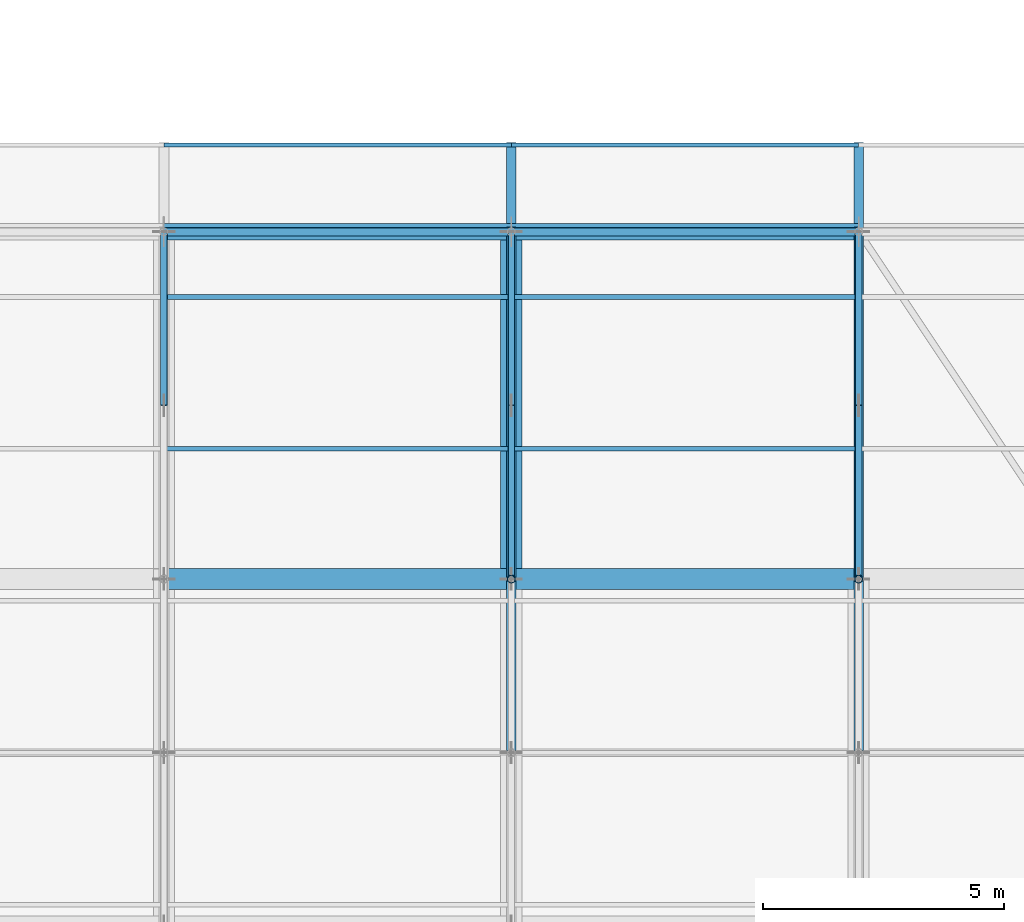
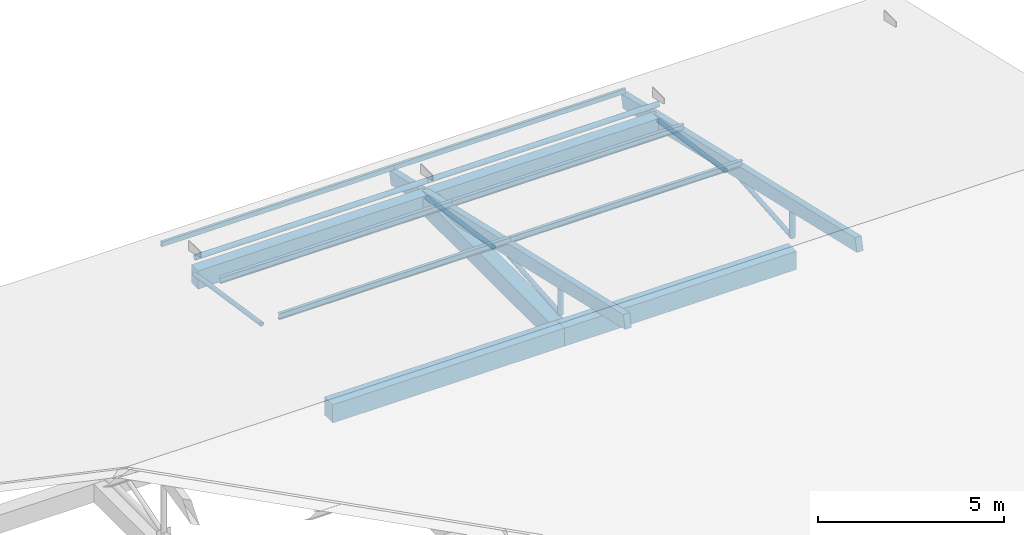
# One storey, part 57 of 93: 17 members, 5 beams.
"""IFC4 building model written with IfcOpenShell, lengths in metres."""

from ifc_helpers import new_model, si_unit, direction, frame, origin, origin_2d, place, context, subcontext, project, spatial, rectangle, hollow_rectangle, hollow_circle, i_section, extrude, material, material_profile, profile_set, type_object, element, save


model = new_model("IFC4")

# Units and contexts
model_context = context("Model", 3, precision=1e-05, world=origin(), true_north=direction((0.0, 1.0)))
body_context = subcontext(model_context, "Body", "Model", "MODEL_VIEW")
ifc_project = project(units=[si_unit("LENGTHUNIT", "METRE"), si_unit("AREAUNIT", "SQUARE_METRE"), si_unit("VOLUMEUNIT", "CUBIC_METRE"), si_unit("PLANEANGLEUNIT", "RADIAN"), si_unit("MASSUNIT", "GRAM", prefix="KILO")], contexts=[model_context])

# Site, building, storey
site_placement = place(None, origin())
site = spatial("IfcSite", under=ifc_project, at=site_placement, CompositionType="ELEMENT")
building_placement = place(site_placement, origin())
building = spatial("IfcBuilding", under=site, at=building_placement, Name="Zornivar Specialist Clinic", CompositionType="ELEMENT")
storey_placement = place(building_placement, frame((0.0, 0.0, 8.39990234375)))
storey = spatial("IfcBuildingStorey", under=building, at=storey_placement, Name="L02", CompositionType="ELEMENT", Elevation=8.39990234375)

# Beams
ifc_material_1 = material(Name="Concrete C30/37", Category="concrete")
ifc_material_profile_1 = material_profile(ifc_material_1, rectangle(XDim=0.43994140625, YDim=0.60009765625, at=origin_2d()), Name="RC 440x600")
ifc_profile_set_1 = profile_set([ifc_material_profile_1], Name="Concrete C30/37")
beam_type_1 = type_object("IfcBeamType", Name="BM-RC-440x600", PredefinedType="BEAM", material=ifc_profile_set_1)
for number, where, z_axis, x_axis, name in (
    (1, (144.0, 14.39990234375, -0.2998046875), (1.0, 0.0, 0.0), (0.0, 1.0, 0.0), "bm:V4:L02:x:144:3"),
    (2, (151.199951171875, 14.39990234375, -0.2998046875), (1.0, 0.0, 0.0), (0.0, 1.0, 0.0), "bm:V4:L02:x:144:4"),
):
    element("IfcBeam", number, at=place(storey_placement, frame(where, z_axis=z_axis, x_axis=x_axis)), inside=storey, type_object=beam_type_1, Name=name, PredefinedType="BEAM", context=body_context, shape_type="SweptSolid", body=[
        extrude(rectangle(XDim=0.43994140625, YDim=0.60009765625, at=origin_2d()), origin(), (0.0, 0.0, 1.0), 7.199951171875),
    ])
beam_placement = place(storey_placement, frame((151.199951171875, 14.39990234375, -0.2998046875), z_axis=(0.0, 1.0, 0.0), x_axis=(-1.0, 0.0, 0.0)))
element("IfcBeam", 3, at=beam_placement, inside=storey, type_object=beam_type_1, Name="bm:V4:L02:y:1512:2", PredefinedType="BEAM", context=body_context, shape_type="SweptSolid", body=[
    extrude(rectangle(XDim=0.43994140625, YDim=0.60009765625, at=origin_2d()), origin(), (0.0, 0.0, 1.0), 7.2001953125),
])
ifc_material_2 = material(Name="Concrete C30/37", Category="concrete")
ifc_material_profile_2 = material_profile(ifc_material_2, rectangle(XDim=0.35009765625, YDim=0.60009765625, at=origin_2d()), Name="RC 350x600")
ifc_profile_set_2 = profile_set([ifc_material_profile_2], Name="Concrete C30/37")
beam_type_2 = type_object("IfcBeamType", Name="BM-RC-SPANDREL-350x600", PredefinedType="SPANDREL", material=ifc_profile_set_2)
for number, where, z_axis, x_axis, name in (
    (4, (144.0, 21.60009765625, -0.2998046875), (1.0, 0.0, 0.0), (0.0, 1.0, 0.0), "bm:V4:L02:x:216:3"),
    (5, (151.199951171875, 21.60009765625, -0.2998046875), (1.0, 0.0, 0.0), (0.0, 1.0, 0.0), "bm:V4:L02:x:216:4"),
):
    element("IfcBeam", number, at=place(storey_placement, frame(where, z_axis=z_axis, x_axis=x_axis)), inside=storey, type_object=beam_type_2, Name=name, PredefinedType="SPANDREL", context=body_context, shape_type="SweptSolid", body=[
        extrude(rectangle(XDim=0.35009765625, YDim=0.60009765625, at=origin_2d()), origin(), (0.0, 0.0, 1.0), 7.199951171875),
    ])

# Members
ifc_material_3 = material(Name="Steel S355J2", Category="steel")
ifc_material_profile_3 = material_profile(ifc_material_3, hollow_circle(Radius=0.06982421875, WallThickness=0.008056640625, at=origin_2d()), Name="CHS 139.7x8")
ifc_profile_set_3 = profile_set([ifc_material_profile_3], Name="Steel S355J2")
member_type_1 = type_object("IfcMemberType", Name="MEM-DIAG-CHS140", PredefinedType="BRACE", material=ifc_profile_set_3)
for number, where, z_axis, x_axis, name in (
    (6, (151.199951171875, 14.39990234375, 0.340087890625), (0.0, 0.996883055642, 0.078893430485), (-1.0, 0.0, 0.0), "mem:V4:L02:diag:4:N:1"),
    (7, (158.39990234375, 14.39990234375, 0.340087890625), (0.0, 0.996883055642, 0.078893430485), (-1.0, 0.0, 0.0), "mem:V4:L02:diag:5:N:1"),
):
    element("IfcMember", number, at=place(storey_placement, frame(where, z_axis=z_axis, x_axis=x_axis)), inside=storey, type_object=member_type_1, Name=name, PredefinedType="BRACE", context=body_context, shape_type="SweptSolid", body=[
        extrude(hollow_circle(Radius=0.06982421875, WallThickness=0.008056640625, at=origin_2d()), origin(), (0.0, 0.0, 1.0), 3.611328125),
    ])
ifc_material_4 = material(Name="Steel S355J2", Category="steel")
ifc_material_profile_4 = material_profile(ifc_material_4, hollow_circle(Radius=0.06982421875, WallThickness=0.010009765625, at=origin_2d()), Name="CHS 139.7x10")
ifc_profile_set_4 = profile_set([ifc_material_profile_4], Name="Steel S355J2")
member_type_2 = type_object("IfcMemberType", Name="MEM-DIAG-CHS140H", PredefinedType="BRACE", material=ifc_profile_set_4)
for number, where, z_axis, x_axis, name in (
    (8, (144.0, 18.0, 0.340087890625), (0.0, 0.988817004891, -0.149133935906), (-1.0, 0.0, 0.0), "mem:V4:L02:diag:3:N:2"),
    (9, (151.199951171875, 18.0, 0.340087890625), (0.0, 0.988817004891, -0.149133935906), (-1.0, 0.0, 0.0), "mem:V4:L02:diag:4:N:2"),
    (10, (158.39990234375, 18.0, 0.340087890625), (0.0, 0.988817004891, -0.149133935906), (-1.0, 0.0, 0.0), "mem:V4:L02:diag:5:N:2"),
):
    element("IfcMember", number, at=place(storey_placement, frame(where, z_axis=z_axis, x_axis=x_axis)), inside=storey, type_object=member_type_2, Name=name, PredefinedType="BRACE", context=body_context, shape_type="SweptSolid", body=[
        extrude(hollow_circle(Radius=0.06982421875, WallThickness=0.010009765625, at=origin_2d()), origin(), (0.0, 0.0, 1.0), 3.640869140625),
    ])
ifc_material_5 = material(Name="Steel S355J2", Category="steel")
ifc_material_profile_5 = material_profile(ifc_material_5, hollow_rectangle(XDim=0.080078125, YDim=0.159912109375, WallThickness=0.008056640625, at=origin_2d()), Name="RHS 160x80x8")
ifc_profile_set_5 = profile_set([ifc_material_profile_5], Name="Steel S355J2")
member_type_3 = type_object("IfcMemberType", Name="MEM-EAVE-RHS160", PredefinedType="USERDEFINED", material=ifc_profile_set_5)
for number, where, z_axis, x_axis, name in (
    (11, (144.0, 23.39990234375, -0.305908203125), (1.0, 0.0, 0.0), (0.0, 1.0, 0.0), "mem:V4:L02:purl:3:08"),
    (12, (151.199951171875, 23.39990234375, -0.305908203125), (1.0, 0.0, 0.0), (0.0, 1.0, 0.0), "mem:V4:L02:purl:4:08"),
):
    element("IfcMember", number, at=place(storey_placement, frame(where, z_axis=z_axis, x_axis=x_axis)), inside=storey, type_object=member_type_3, Name=name, ObjectType="EAVE RAFTER", PredefinedType="USERDEFINED", context=body_context, shape_type="SweptSolid", body=[
        extrude(hollow_rectangle(XDim=0.080078125, YDim=0.159912109375, WallThickness=0.008056640625, at=origin_2d()), origin(), (0.0, 0.0, 1.0), 7.199951171875),
    ])
ifc_material_6 = material(Name="Steel S355J2", Category="steel")
ifc_material_profile_6 = material_profile(ifc_material_6, i_section(OverallWidth=0.10009765625, OverallDepth=0.199951171875, WebThickness=0.005615234375, FlangeThickness=0.008544921875, FilletRadius=0.011962890625, at=origin_2d()), Name="IPE 200")
ifc_profile_set_6 = profile_set([ifc_material_profile_6], Name="Steel S355J2")
member_type_4 = type_object("IfcMemberType", Name="MEM-PURLIN-IPE200", PredefinedType="PURLIN", material=ifc_profile_set_6)
for number, where, z_axis, x_axis, name in (
    (13, (144.0, 17.10009765625, 1.14404296875), (1.0, 0.0, 0.0), (0.0, 1.0, 0.0), "mem:V4:L02:purl:3:06"),
    (14, (144.0, 20.25, 0.419189453125), (1.0, 0.0, 0.0), (0.0, 1.0, 0.0), "mem:V4:L02:purl:3:07"),
    (15, (151.199951171875, 17.10009765625, 1.14404296875), (1.0, 0.0, 0.0), (0.0, 1.0, 0.0), "mem:V4:L02:purl:4:06"),
    (16, (151.199951171875, 20.25, 0.419189453125), (1.0, 0.0, 0.0), (0.0, 1.0, 0.0), "mem:V4:L02:purl:4:07"),
):
    element("IfcMember", number, at=place(storey_placement, frame(where, z_axis=z_axis, x_axis=x_axis)), inside=storey, type_object=member_type_4, Name=name, PredefinedType="PURLIN", context=body_context, shape_type="SweptSolid", body=[
        extrude(i_section(OverallWidth=0.10009765625, OverallDepth=0.199951171875, WebThickness=0.005615234375, FlangeThickness=0.008544921875, FilletRadius=0.011962890625, at=origin_2d()), origin(), (0.0, 0.0, 1.0), 7.199951171875),
    ])
ifc_material_7 = material(Name="Glulam GL28h", Category="wood")
ifc_material_profile_7 = material_profile(ifc_material_7, rectangle(XDim=0.199951171875, YDim=0.43994140625, at=origin_2d()), Name="GL28h 200x440")
ifc_profile_set_7 = profile_set([ifc_material_profile_7], Name="Glulam GL28h")
member_type_5 = type_object("IfcMemberType", Name="MEM-RAFTER-GL440", PredefinedType="RAFTER", material=ifc_profile_set_7)
for number, where, z_axis, x_axis, name in (
    (17, (151.199951171875, 23.39990234375, -0.617919921875), (0.0, -0.974522466256, 0.224289907849), (1.0, 0.0, 0.0), "mem:V4:L02:rafN:4"),
    (18, (158.39990234375, 23.39990234375, -0.617919921875), (0.0, -0.974522466256, 0.224289907849), (1.0, 0.0, 0.0), "mem:V4:L02:rafN:5"),
):
    element("IfcMember", number, at=place(storey_placement, frame(where, z_axis=z_axis, x_axis=x_axis)), inside=storey, type_object=member_type_5, Name=name, PredefinedType="RAFTER", context=body_context, shape_type="SweptSolid", body=[
        extrude(rectangle(XDim=0.199951171875, YDim=0.43994140625, at=origin_2d()), origin(), (0.0, 0.0, 1.0), 12.92919921875),
    ])
ifc_material_8 = material(Name="Steel S355J2", Category="steel")
ifc_material_profile_8 = material_profile(ifc_material_8, hollow_circle(Radius=0.084228515625, WallThickness=0.010009765625, at=origin_2d()), Name="CHS 168.3x10")
ifc_profile_set_8 = profile_set([ifc_material_profile_8], Name="Steel S355J2")
member_type_6 = type_object("IfcMemberType", Name="MEM-STRUT-CHS168", PredefinedType="STRUT", material=ifc_profile_set_8)
for number, where, z_axis, x_axis, name in (
    (19, (151.199951171875, 14.39990234375, 0.340087890625), (0.0, 0.0, 1.0), (1.0, 0.0, 0.0), "mem:V4:L02:vert:4:N:1"),
    (20, (158.39990234375, 14.39990234375, 0.340087890625), (0.0, 0.0, 1.0), (1.0, 0.0, 0.0), "mem:V4:L02:vert:5:N:1"),
):
    element("IfcMember", number, at=place(storey_placement, frame(where, z_axis=z_axis, x_axis=x_axis)), inside=storey, type_object=member_type_6, Name=name, PredefinedType="STRUT", context=body_context, shape_type="SweptSolid", body=[
        extrude(hollow_circle(Radius=0.084228515625, WallThickness=0.010009765625, at=origin_2d()), origin(), (0.0, 0.0, 1.0), 1.114013671875),
    ])
for number, where, z_axis, x_axis, name in (
    (21, (144.0, 21.60009765625, 0.340087890625), (1.0, 0.0, 0.0), (0.0, 1.0, 0.0), "mem:V4:L02:ltieN:3"),
    (22, (151.199951171875, 21.60009765625, 0.340087890625), (1.0, 0.0, 0.0), (0.0, 1.0, 0.0), "mem:V4:L02:ltieN:4"),
):
    element("IfcMember", number, at=place(storey_placement, frame(where, z_axis=z_axis, x_axis=x_axis)), inside=storey, type_object=member_type_6, Name=name, PredefinedType="STRUT", context=body_context, shape_type="SweptSolid", body=[
        extrude(hollow_circle(Radius=0.084228515625, WallThickness=0.010009765625, at=origin_2d()), origin(), (0.0, 0.0, 1.0), 7.199951171875),
    ])

save(model, "model.ifc")
